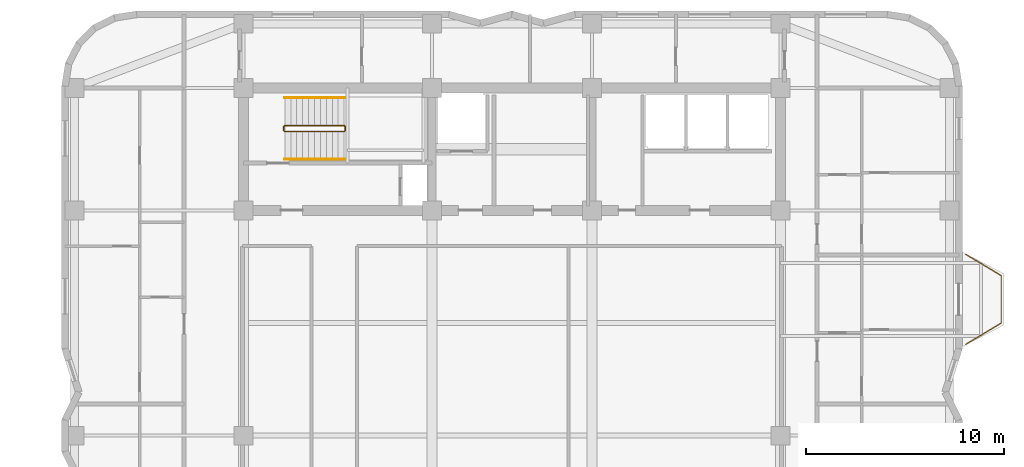
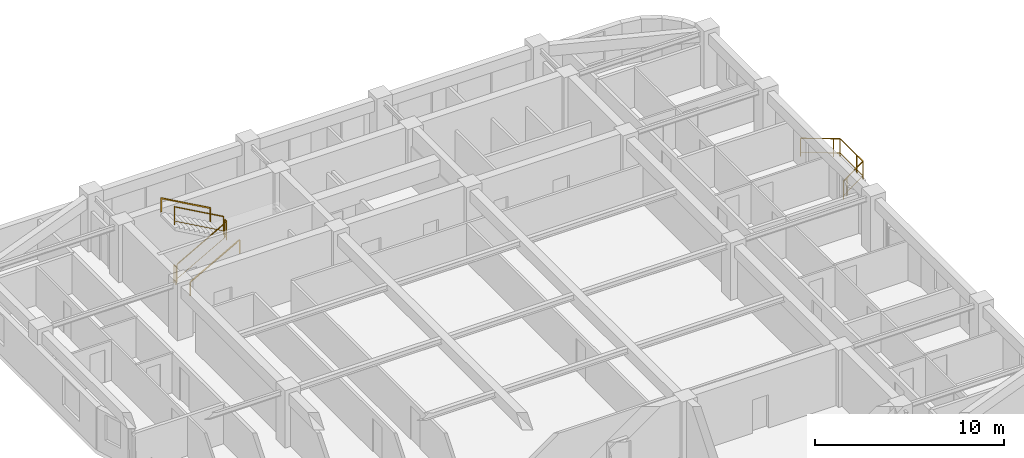
# One storey, part 9 of 9: 7 railings.
"""IFC4 building model written with IfcOpenShell, lengths in metres."""

from ifc_helpers import new_model, si_unit, direction, frame, origin, origin_2d, place, context, subcontext, project, spatial, rectangle, extrude, material, type_object, element, save


model = new_model("IFC4")

# Units and contexts
model_context = context("Model", 3, precision=1e-05, world=origin(), true_north=direction((0.0, 1.0)))
body_context = subcontext(model_context, "Body", "Model", "MODEL_VIEW")
ifc_project = project(units=[si_unit("LENGTHUNIT", "METRE"), si_unit("AREAUNIT", "SQUARE_METRE"), si_unit("VOLUMEUNIT", "CUBIC_METRE"), si_unit("PLANEANGLEUNIT", "RADIAN"), si_unit("MASSUNIT", "GRAM", prefix="KILO")], contexts=[model_context])

# Site, building, storey
site_placement = place(None, origin())
site = spatial("IfcSite", under=ifc_project, at=site_placement, CompositionType="ELEMENT")
building_placement = place(site_placement, origin())
building = spatial("IfcBuilding", under=site, at=building_placement, Name="Svetorya Sky Lyceum", CompositionType="ELEMENT")
storey_placement = place(building_placement, frame((0.0, 0.0, 184.800048828125)))
storey = spatial("IfcBuildingStorey", under=building, at=storey_placement, Name="L46", CompositionType="ELEMENT", Elevation=184.800048828125)

# Railings
ifc_material_1 = material(Name="Laminated safety glass and stainless AISI 316", Category="glass")
railing_type_1 = type_object("IfcRailingType", Name="RL-BAL-1200", PredefinedType="BALUSTRADE", material=ifc_material_1)
railing_1_placement = place(storey_placement, frame((62.169921875, 37.3798828125, 0.0)))
element("IfcRailing", 1, at=railing_1_placement, inside=storey, type_object=railing_type_1, Name="L46 Balcony Balustrade BAL-E1", PredefinedType="BALUSTRADE", context=body_context, shape_type="SweptSolid", body=[
    extrude(rectangle(XDim=0.048095703125, YDim=0.048095703125, at=origin_2d()), frame((0.0, 0.0, 1.17578125), z_axis=(0.85753397263, -0.514427337711, 0.0), x_axis=(0.514427337711, 0.85753397263, 0.0)), (0.0, 0.0, 1.0), 2.09912109375),
    extrude(rectangle(XDim=0.02392578125, YDim=0.02392578125, at=origin_2d()), frame((0.0, 0.0, 0.25), z_axis=(0.85753397263, -0.514427337711, 0.0), x_axis=(0.514427337711, 0.85753397263, 0.0)), (0.0, 0.0, 1.0), 2.09912109375),
    extrude(rectangle(XDim=0.048095703125, YDim=0.048095703125, at=origin_2d()), frame((1.800048828125, -1.079833984375, 1.17578125), z_axis=(0.0, -1.0, 0.0), x_axis=(1.0, 0.0, 0.0)), (0.0, 0.0, 1.0), 2.400146484375),
    extrude(rectangle(XDim=0.02392578125, YDim=0.02392578125, at=origin_2d()), frame((1.800048828125, -1.079833984375, 0.25), z_axis=(0.0, -1.0, 0.0), x_axis=(1.0, 0.0, 0.0)), (0.0, 0.0, 1.0), 2.400146484375),
    extrude(rectangle(XDim=0.048095703125, YDim=0.048095703125, at=origin_2d()), frame((1.800048828125, -3.47998046875, 1.17578125), z_axis=(-0.85753397263, -0.514427337711, 0.0), x_axis=(0.514427337711, -0.85753397263, 0.0)), (0.0, 0.0, 1.0), 2.09912109375),
    extrude(rectangle(XDim=0.02392578125, YDim=0.02392578125, at=origin_2d()), frame((1.800048828125, -3.47998046875, 0.25), z_axis=(-0.85753397263, -0.514427337711, 0.0), x_axis=(0.514427337711, -0.85753397263, 0.0)), (0.0, 0.0, 1.0), 2.09912109375),
    extrude(rectangle(XDim=0.0419921875, YDim=0.0419921875, at=origin_2d()), origin(), (0.0, 0.0, 1.0), 1.15185546875),
    extrude(rectangle(XDim=0.0419921875, YDim=0.0419921875, at=origin_2d()), frame((1.500732421875, -0.900146484375, 0.0)), (0.0, 0.0, 1.0), 1.15185546875),
    extrude(rectangle(XDim=0.0419921875, YDim=0.0419921875, at=origin_2d()), frame((1.800048828125, -1.079833984375, 0.0)), (0.0, 0.0, 1.0), 1.15185546875),
    extrude(rectangle(XDim=0.0419921875, YDim=0.0419921875, at=origin_2d()), frame((1.800048828125, -2.829833984375, 0.0)), (0.0, 0.0, 1.0), 1.15185546875),
    extrude(rectangle(XDim=0.0419921875, YDim=0.0419921875, at=origin_2d()), frame((1.800048828125, -3.47998046875, 0.0)), (0.0, 0.0, 1.0), 1.15185546875),
    extrude(rectangle(XDim=0.0419921875, YDim=0.0419921875, at=origin_2d()), frame((0.29931640625, -4.380126953125, 0.0)), (0.0, 0.0, 1.0), 1.15185546875),
    extrude(rectangle(XDim=0.0419921875, YDim=0.0419921875, at=origin_2d()), frame((0.0, -4.559814453125, 0.0)), (0.0, 0.0, 1.0), 1.15185546875),
])
ifc_material_2 = material(Name="Painted galvanized stair well guard")
railing_type_2 = type_object("IfcRailingType", Name="RL-STR-GUARD-1200", PredefinedType="GUARDRAIL", material=ifc_material_2)
railing_2_placement = place(storey_placement, frame((27.699951171875, 43.60009765625, 0.168212890625)))
element("IfcRailing", 2, at=railing_2_placement, inside=storey, type_object=railing_type_2, Name="L46 ST-N stair guard 1", PredefinedType="GUARDRAIL", context=body_context, shape_type="SweptSolid", body=[
    extrude(rectangle(XDim=0.048095703125, YDim=0.048095703125, at=origin_2d()), frame((0.0, 0.0, 1.17578125), z_axis=(0.872302573547, 0.0, 0.488966481656), x_axis=(0.0, 1.0, 0.0)), (0.0, 0.0, 1.0), 3.439208984375),
    extrude(rectangle(XDim=0.02392578125, YDim=0.02392578125, at=origin_2d()), frame((0.0, 0.0, 0.25), z_axis=(0.872302573547, 0.0, 0.488966481656), x_axis=(0.0, 1.0, 0.0)), (0.0, 0.0, 1.0), 3.439208984375),
    extrude(rectangle(XDim=0.0419921875, YDim=0.0419921875, at=origin_2d()), origin(), (0.0, 0.0, 1.0), 1.15185546875),
    extrude(rectangle(XDim=0.0419921875, YDim=0.0419921875, at=origin_2d()), frame((3.0, 0.0, 1.681640625)), (0.0, 0.0, 1.0), 1.15185546875),
])
railing_3_placement = place(storey_placement, frame((30.75, 43.64990234375, 1.849853515625)))
element("IfcRailing", 3, at=railing_3_placement, inside=storey, type_object=railing_type_2, Name="L46 ST-N stair guard 2", PredefinedType="GUARDRAIL", context=body_context, shape_type="SweptSolid", body=[
    extrude(rectangle(XDim=0.048095703125, YDim=0.048095703125, at=origin_2d()), frame((0.0, 0.0, 1.17578125), z_axis=(0.0, 1.0, 0.0), x_axis=(-1.0, 0.0, 0.0)), (0.0, 0.0, 1.0), 0.2001953125),
    extrude(rectangle(XDim=0.02392578125, YDim=0.02392578125, at=origin_2d()), frame((0.0, 0.0, 0.25), z_axis=(0.0, 1.0, 0.0), x_axis=(-1.0, 0.0, 0.0)), (0.0, 0.0, 1.0), 0.2001953125),
    extrude(rectangle(XDim=0.0419921875, YDim=0.0419921875, at=origin_2d()), origin(), (0.0, 0.0, 1.0), 1.15185546875),
    extrude(rectangle(XDim=0.0419921875, YDim=0.0419921875, at=origin_2d()), frame((0.0, 0.2001953125, 0.0)), (0.0, 0.0, 1.0), 1.15185546875),
])
railing_4_placement = place(storey_placement, frame((30.699951171875, 43.89990234375, 2.01806640625)))
element("IfcRailing", 4, at=railing_4_placement, inside=storey, type_object=railing_type_2, Name="L46 ST-N stair guard 3", PredefinedType="GUARDRAIL", context=body_context, shape_type="SweptSolid", body=[
    extrude(rectangle(XDim=0.048095703125, YDim=0.048095703125, at=origin_2d()), frame((0.0, 0.0, 1.17578125), z_axis=(-0.872272294576, 0.0, 0.489020494575), x_axis=(0.0, -1.0, 0.0)), (0.0, 0.0, 1.0), 3.439208984375),
    extrude(rectangle(XDim=0.02392578125, YDim=0.02392578125, at=origin_2d()), frame((0.0, 0.0, 0.25), z_axis=(-0.872272294576, 0.0, 0.489020494575), x_axis=(0.0, -1.0, 0.0)), (0.0, 0.0, 1.0), 3.439208984375),
    extrude(rectangle(XDim=0.0419921875, YDim=0.0419921875, at=origin_2d()), origin(), (0.0, 0.0, 1.0), 1.15185546875),
    extrude(rectangle(XDim=0.0419921875, YDim=0.0419921875, at=origin_2d()), frame((-3.0, 0.0, 1.681884765625)), (0.0, 0.0, 1.0), 1.15185546875),
])
railing_5_placement = place(storey_placement, frame((27.64990234375, 43.64990234375, 0.0)))
element("IfcRailing", 5, at=railing_5_placement, inside=storey, type_object=railing_type_2, Name="L46 ST-N stair guard 4", PredefinedType="GUARDRAIL", context=body_context, shape_type="SweptSolid", body=[
    extrude(rectangle(XDim=0.048095703125, YDim=0.048095703125, at=origin_2d()), frame((0.0, 0.0, 1.17578125), z_axis=(0.0, 1.0, 0.0), x_axis=(-1.0, 0.0, 0.0)), (0.0, 0.0, 1.0), 0.2001953125),
    extrude(rectangle(XDim=0.02392578125, YDim=0.02392578125, at=origin_2d()), frame((0.0, 0.0, 0.25), z_axis=(0.0, 1.0, 0.0), x_axis=(-1.0, 0.0, 0.0)), (0.0, 0.0, 1.0), 0.2001953125),
    extrude(rectangle(XDim=0.0419921875, YDim=0.0419921875, at=origin_2d()), origin(), (0.0, 0.0, 1.0), 1.15185546875),
    extrude(rectangle(XDim=0.0419921875, YDim=0.0419921875, at=origin_2d()), frame((0.0, 0.2001953125, 0.0)), (0.0, 0.0, 1.0), 1.15185546875),
])
ifc_material_3 = material(Name="Brushed stainless AISI 304 stair handrail")
railing_type_3 = type_object("IfcRailingType", Name="RL-STR-HAND-920", PredefinedType="HANDRAIL", material=ifc_material_3)
railing_6_placement = place(storey_placement, frame((27.699951171875, 42.199951171875, 0.168212890625)))
element("IfcRailing", 6, at=railing_6_placement, inside=storey, type_object=railing_type_3, Name="L46 ST-N stair handrail 1", PredefinedType="HANDRAIL", context=body_context, shape_type="SweptSolid", body=[
    extrude(rectangle(XDim=0.048095703125, YDim=0.048095703125, at=origin_2d()), frame((0.0, 0.0, 0.8759765625), z_axis=(0.872302573547, 0.0, 0.488966481656), x_axis=(0.0, 1.0, 0.0)), (0.0, 0.0, 1.0), 3.439208984375),
    extrude(rectangle(XDim=0.0419921875, YDim=0.0419921875, at=origin_2d()), origin(), (0.0, 0.0, 1.0), 0.851806640625),
    extrude(rectangle(XDim=0.0419921875, YDim=0.0419921875, at=origin_2d()), frame((3.0, 0.0, 1.681640625)), (0.0, 0.0, 1.0), 0.851806640625),
])
railing_7_placement = place(storey_placement, frame((30.699951171875, 45.300048828125, 2.01806640625)))
element("IfcRailing", 7, at=railing_7_placement, inside=storey, type_object=railing_type_3, Name="L46 ST-N stair handrail 2", PredefinedType="HANDRAIL", context=body_context, shape_type="SweptSolid", body=[
    extrude(rectangle(XDim=0.048095703125, YDim=0.048095703125, at=origin_2d()), frame((0.0, 0.0, 0.8759765625), z_axis=(-0.872272294576, 0.0, 0.489020494575), x_axis=(0.0, -1.0, 0.0)), (0.0, 0.0, 1.0), 3.439208984375),
    extrude(rectangle(XDim=0.0419921875, YDim=0.0419921875, at=origin_2d()), origin(), (0.0, 0.0, 1.0), 0.851806640625),
    extrude(rectangle(XDim=0.0419921875, YDim=0.0419921875, at=origin_2d()), frame((-3.0, 0.0, 1.681884765625)), (0.0, 0.0, 1.0), 0.851806640625),
])

save(model, "model.ifc")
